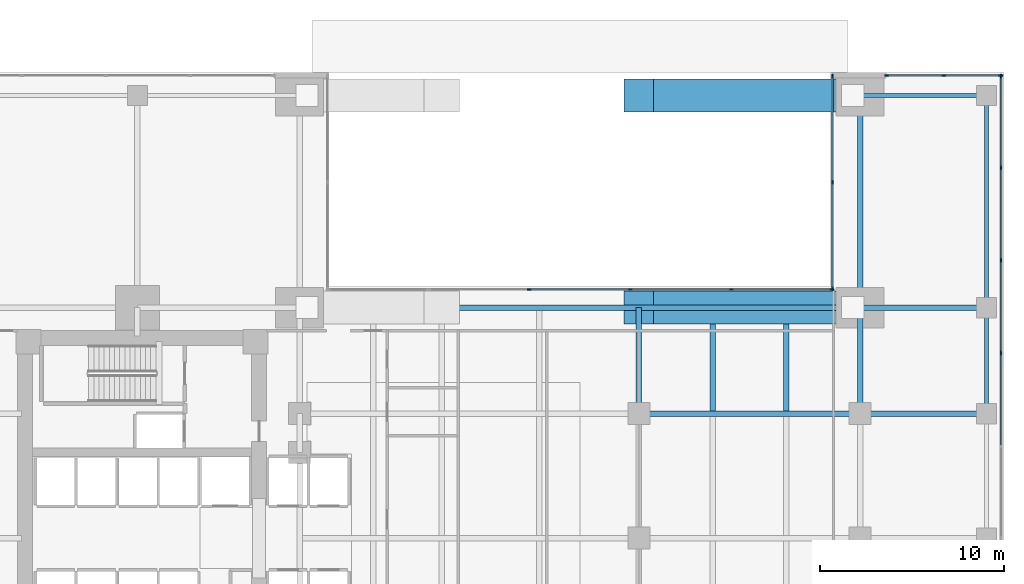
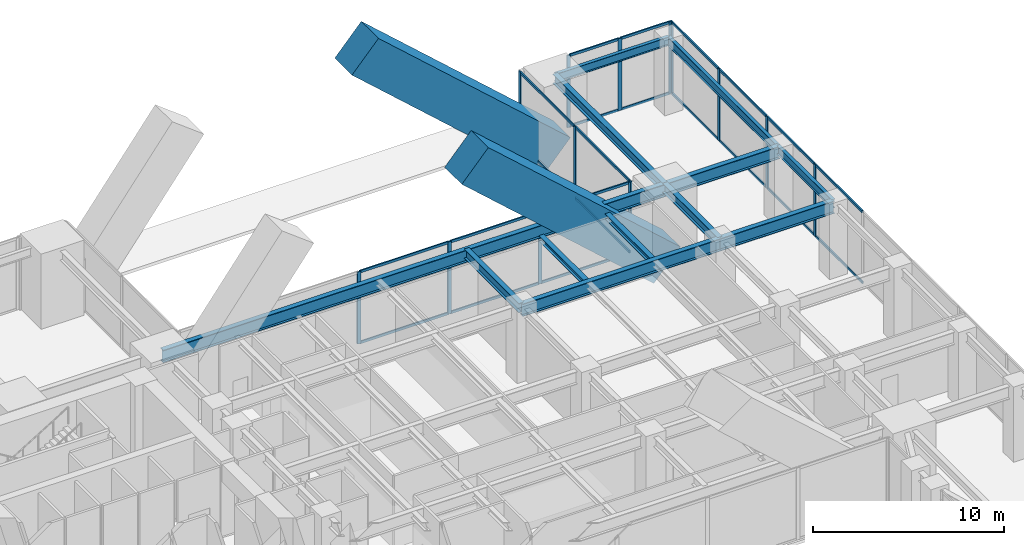
# One storey, part 6 of 13: 36 members, 14 beams, 4 elements without a shape of their own.
"""IFC4 building model written with IfcOpenShell, lengths in metres."""

from ifc_helpers import new_model, si_unit, direction, frame, origin, origin_2d, place, context, subcontext, project, spatial, rectangle, i_section, extrude, material, layer, layer_set, material_profile, profile_set, type_object, element, aggregate, save


model = new_model("IFC4")

# Units and contexts
model_context = context("Model", 3, precision=1e-05, world=origin(), true_north=direction((0.0, 1.0)))
body_context = subcontext(model_context, "Body", "Model", "MODEL_VIEW")
ifc_project = project(units=[si_unit("LENGTHUNIT", "METRE"), si_unit("AREAUNIT", "SQUARE_METRE"), si_unit("VOLUMEUNIT", "CUBIC_METRE"), si_unit("PLANEANGLEUNIT", "RADIAN"), si_unit("MASSUNIT", "GRAM", prefix="KILO")], contexts=[model_context])

# Site, building, storey
site_placement = place(None, origin())
site = spatial("IfcSite", under=ifc_project, at=site_placement, CompositionType="ELEMENT")
building_placement = place(site_placement, origin())
building = spatial("IfcBuilding", under=site, at=building_placement, Name="Kinhvarn Gate Tower", CompositionType="ELEMENT")
storey_placement = place(building_placement, frame((0.0, 0.0, 6.0)))
storey = spatial("IfcBuildingStorey", under=building, at=storey_placement, Name="L01", CompositionType="ELEMENT", Elevation=6.0)

# Beams
ifc_material_1 = material(Name="Concrete C70/85", Category="concrete")
ifc_material_profile_1 = material_profile(ifc_material_1, rectangle(XDim=1.800048828125, YDim=2.39990234375, at=origin_2d()), Name="RC 1800x2400")
ifc_profile_set_1 = profile_set([ifc_material_profile_1], Name="Concrete C70/85")
beam_type_1 = type_object("IfcBeamType", Name="BM-AR-2400", PredefinedType="BEAM", material=ifc_profile_set_1)
for number, where, z_axis, x_axis, name in (
    (1, (38.199951171875, 37.75, 10.39990234375), (0.744575349393, 0.0, -0.667538425168), (0.0, 1.0, 0.0), "Portal Arch East Haunch Rib AR-01-E3"),
    (2, (38.199951171875, 49.25, 10.39990234375), (0.744575349393, 0.0, -0.667538425168), (0.0, 1.0, 0.0), "Portal Arch East Haunch Rib AR-01-E4"),
):
    element("IfcBeam", number, at=place(storey_placement, frame(where, z_axis=z_axis, x_axis=x_axis)), inside=storey, type_object=beam_type_1, Name=name, PredefinedType="BEAM", context=body_context, shape_type="SweptSolid", body=[
        extrude(rectangle(XDim=1.800048828125, YDim=2.39990234375, at=origin_2d()), origin(), (0.0, 0.0, 1.0), 15.57958984375),
    ])

# Curtain wall, members
ifc_material_2 = material(Name="Anodised aluminium AW-6063", Category="aluminium")
ifc_layer = layer(ifc_material_2, 0.219970703125)
ifc_layer_set = layer_set([ifc_layer], Name="Anodised aluminium AW-6063")
curtain_wall_type = type_object("IfcCurtainWallType", Name="CW-SYS-1", PredefinedType="NOTDEFINED", material=ifc_layer_set)
curtain_wall_1_placement = place(storey_placement, origin())
curtain_wall_1 = element("IfcCurtainWall", 3, at=curtain_wall_1_placement, inside=storey, type_object=curtain_wall_type, Name="Curtain Wall CW1 (L01)", PredefinedType="NOTDEFINED")
ifc_material_profile_2 = material_profile(ifc_material_2, rectangle(XDim=0.080078125, YDim=0.219970703125, at=origin_2d()), Name="ALU 80x220")
ifc_profile_set_2 = profile_set([ifc_material_profile_2], Name="Anodised aluminium AW-6063")
member_type_1 = type_object("IfcMemberType", Name="CW-MUL-220", PredefinedType="MULLION", material=ifc_profile_set_2)
member_1_placement = place(storey_placement, frame((57.85009765625, 35.2900390625, 0.0), z_axis=(0.0, 0.0, 1.0), x_axis=(-1.0, 0.0, 0.0)))
member_1 = element("IfcMember", 4, at=member_1_placement, type_object=member_type_1, Name="CW1 mullion 8", PredefinedType="MULLION", context=body_context, shape_type="SweptSolid", body=[
    extrude(rectangle(XDim=0.080078125, YDim=0.219970703125, at=origin_2d()), origin(), (0.0, 0.0, 1.0), 4.60009765625),
])
member_2_placement = place(storey_placement, frame((57.85009765625, 40.31005859375, 0.0), z_axis=(0.0, 0.0, 1.0), x_axis=(-1.0, 0.0, 0.0)))
member_2 = element("IfcMember", 5, at=member_2_placement, type_object=member_type_1, Name="CW1 mullion 9", PredefinedType="MULLION", context=body_context, shape_type="SweptSolid", body=[
    extrude(rectangle(XDim=0.080078125, YDim=0.219970703125, at=origin_2d()), origin(), (0.0, 0.0, 1.0), 4.60009765625),
])
member_3_placement = place(storey_placement, frame((57.85009765625, 45.330078125, 0.0), z_axis=(0.0, 0.0, 1.0), x_axis=(-1.0, 0.0, 0.0)))
member_3 = element("IfcMember", 6, at=member_3_placement, type_object=member_type_1, Name="CW1 mullion 10", PredefinedType="MULLION", context=body_context, shape_type="SweptSolid", body=[
    extrude(rectangle(XDim=0.080078125, YDim=0.219970703125, at=origin_2d()), origin(), (0.0, 0.0, 1.0), 4.60009765625),
])
member_4_placement = place(storey_placement, frame((57.85009765625, 50.31005859375, 0.0), z_axis=(0.0, 0.0, 1.0), x_axis=(-1.0, 0.0, 0.0)))
member_4 = element("IfcMember", 7, at=member_4_placement, type_object=member_type_1, Name="CW1 mullion 11", PredefinedType="MULLION", context=body_context, shape_type="SweptSolid", body=[
    extrude(rectangle(XDim=0.080078125, YDim=0.219970703125, at=origin_2d()), origin(), (0.0, 0.0, 1.0), 4.60009765625),
])

curtain_wall_2_placement = place(storey_placement, origin())
curtain_wall_2 = element("IfcCurtainWall", 8, at=curtain_wall_2_placement, inside=storey, type_object=curtain_wall_type, Name="Curtain Wall CW1 (L01)", PredefinedType="NOTDEFINED")
member_5_placement = place(storey_placement, frame((57.81005859375, 50.35009765625, 0.0), z_axis=(0.0, 0.0, 1.0), x_axis=(0.0, -1.0, 0.0)))
member_5 = element("IfcMember", 9, at=member_5_placement, type_object=member_type_1, Name="CW1 mullion 1", PredefinedType="MULLION", context=body_context, shape_type="SweptSolid", body=[
    extrude(rectangle(XDim=0.080078125, YDim=0.219970703125, at=origin_2d()), origin(), (0.0, 0.0, 1.0), 4.60009765625),
])
member_6_placement = place(storey_placement, frame((54.72509765625, 50.35009765625, 0.0), z_axis=(0.0, 0.0, 1.0), x_axis=(0.0, -1.0, 0.0)))
member_6 = element("IfcMember", 10, at=member_6_placement, type_object=member_type_1, Name="CW1 mullion 2", PredefinedType="MULLION", context=body_context, shape_type="SweptSolid", body=[
    extrude(rectangle(XDim=0.080078125, YDim=0.219970703125, at=origin_2d()), origin(), (0.0, 0.0, 1.0), 4.60009765625),
])
member_7_placement = place(storey_placement, frame((51.639892578125, 50.35009765625, 0.0), z_axis=(0.0, 0.0, 1.0), x_axis=(0.0, -1.0, 0.0)))
member_7 = element("IfcMember", 11, at=member_7_placement, type_object=member_type_1, Name="CW1 mullion 3", PredefinedType="MULLION", context=body_context, shape_type="SweptSolid", body=[
    extrude(rectangle(XDim=0.080078125, YDim=0.219970703125, at=origin_2d()), origin(), (0.0, 0.0, 1.0), 4.60009765625),
])

curtain_wall_3_placement = place(storey_placement, origin())
curtain_wall_3 = element("IfcCurtainWall", 12, at=curtain_wall_3_placement, inside=storey, type_object=curtain_wall_type, Name="Curtain Wall CW1 (L01)", PredefinedType="NOTDEFINED")
member_8_placement = place(storey_placement, frame((48.68994140625, 50.31005859375, 0.0), z_axis=(0.0, 0.0, 1.0), x_axis=(1.0, 0.0, 0.0)))
member_8 = element("IfcMember", 13, at=member_8_placement, type_object=member_type_1, Name="CW1 mullion 1", PredefinedType="MULLION", context=body_context, shape_type="SweptSolid", body=[
    extrude(rectangle(XDim=0.080078125, YDim=0.219970703125, at=origin_2d()), origin(), (0.0, 0.0, 1.0), 4.60009765625),
])
member_9_placement = place(storey_placement, frame((48.68994140625, 44.544921875, 0.0), z_axis=(0.0, 0.0, 1.0), x_axis=(1.0, 0.0, 0.0)))
member_9 = element("IfcMember", 14, at=member_9_placement, type_object=member_type_1, Name="CW1 mullion 2", PredefinedType="MULLION", context=body_context, shape_type="SweptSolid", body=[
    extrude(rectangle(XDim=0.080078125, YDim=0.219970703125, at=origin_2d()), origin(), (0.0, 0.0, 1.0), 4.60009765625),
])
member_10_placement = place(storey_placement, frame((48.68994140625, 38.780029296875, 0.0), z_axis=(0.0, 0.0, 1.0), x_axis=(1.0, 0.0, 0.0)))
member_10 = element("IfcMember", 15, at=member_10_placement, type_object=member_type_1, Name="CW1 mullion 3", PredefinedType="MULLION", context=body_context, shape_type="SweptSolid", body=[
    extrude(rectangle(XDim=0.080078125, YDim=0.219970703125, at=origin_2d()), origin(), (0.0, 0.0, 1.0), 4.60009765625),
])

curtain_wall_4_placement = place(storey_placement, origin())
curtain_wall_4 = element("IfcCurtainWall", 16, at=curtain_wall_4_placement, inside=storey, type_object=curtain_wall_type, Name="Curtain Wall CW1 (L01)", PredefinedType="NOTDEFINED")
member_11_placement = place(storey_placement, frame((48.64990234375, 38.739990234375, 0.0), z_axis=(0.0, 0.0, 1.0), x_axis=(0.0, -1.0, 0.0)))
member_11 = element("IfcMember", 17, at=member_11_placement, type_object=member_type_1, Name="CW1 mullion 1", PredefinedType="MULLION", context=body_context, shape_type="SweptSolid", body=[
    extrude(rectangle(XDim=0.080078125, YDim=0.219970703125, at=origin_2d()), origin(), (0.0, 0.0, 1.0), 4.60009765625),
])
member_12_placement = place(storey_placement, frame((43.214111328125, 38.739990234375, 0.0), z_axis=(0.0, 0.0, 1.0), x_axis=(0.0, -1.0, 0.0)))
member_12 = element("IfcMember", 18, at=member_12_placement, type_object=member_type_1, Name="CW1 mullion 2", PredefinedType="MULLION", context=body_context, shape_type="SweptSolid", body=[
    extrude(rectangle(XDim=0.080078125, YDim=0.219970703125, at=origin_2d()), origin(), (0.0, 0.0, 1.0), 4.60009765625),
])
member_13_placement = place(storey_placement, frame((37.738037109375, 38.739990234375, 0.0), z_axis=(0.0, 0.0, 1.0), x_axis=(0.0, -1.0, 0.0)))
member_13 = element("IfcMember", 19, at=member_13_placement, type_object=member_type_1, Name="CW1 mullion 3", PredefinedType="MULLION", context=body_context, shape_type="SweptSolid", body=[
    extrude(rectangle(XDim=0.080078125, YDim=0.219970703125, at=origin_2d()), origin(), (0.0, 0.0, 1.0), 4.60009765625),
])
member_14_placement = place(storey_placement, frame((32.261962890625, 38.739990234375, 0.0), z_axis=(0.0, 0.0, 1.0), x_axis=(0.0, -1.0, 0.0)))
member_14 = element("IfcMember", 20, at=member_14_placement, type_object=member_type_1, Name="CW1 mullion 4", PredefinedType="MULLION", context=body_context, shape_type="SweptSolid", body=[
    extrude(rectangle(XDim=0.080078125, YDim=0.219970703125, at=origin_2d()), origin(), (0.0, 0.0, 1.0), 4.60009765625),
])

# Member
ifc_material_profile_3 = material_profile(ifc_material_2, rectangle(XDim=0.080078125, YDim=0.159912109375, at=origin_2d()), Name="ALU 80x160")
ifc_profile_set_3 = profile_set([ifc_material_profile_3], Name="Anodised aluminium AW-6063")
member_type_2 = type_object("IfcMemberType", Name="CW-TRN-160", PredefinedType="USERDEFINED", material=ifc_profile_set_3)
member_15_placement = place(storey_placement, frame((57.85009765625, 30.31005859375, 0.0400390625), z_axis=(0.0, 1.0, 0.0), x_axis=(-1.0, 0.0, 0.0)))
member_15 = element("IfcMember", 21, at=member_15_placement, type_object=member_type_2, Name="CW1 transom 7.1", ObjectType="TRANSOM", PredefinedType="USERDEFINED", context=body_context, shape_type="SweptSolid", body=[
    extrude(rectangle(XDim=0.080078125, YDim=0.159912109375, at=origin_2d()), origin(), (0.0, 0.0, 1.0), 4.93994140625),
])

member_16_placement = place(storey_placement, frame((57.85009765625, 30.31005859375, 4.56005859375), z_axis=(0.0, 1.0, 0.0), x_axis=(-1.0, 0.0, 0.0)))
member_16 = element("IfcMember", 22, at=member_16_placement, type_object=member_type_2, Name="CW1 transom 7.2", ObjectType="TRANSOM", PredefinedType="USERDEFINED", context=body_context, shape_type="SweptSolid", body=[
    extrude(rectangle(XDim=0.080078125, YDim=0.159912109375, at=origin_2d()), origin(), (0.0, 0.0, 1.0), 4.93994140625),
])

member_17_placement = place(storey_placement, frame((57.85009765625, 35.330078125, 0.0400390625), z_axis=(0.0, 1.0, 0.0), x_axis=(-1.0, 0.0, 0.0)))
member_17 = element("IfcMember", 23, at=member_17_placement, type_object=member_type_2, Name="CW1 transom 8.1", ObjectType="TRANSOM", PredefinedType="USERDEFINED", context=body_context, shape_type="SweptSolid", body=[
    extrude(rectangle(XDim=0.080078125, YDim=0.159912109375, at=origin_2d()), origin(), (0.0, 0.0, 1.0), 4.93994140625),
])

member_18_placement = place(storey_placement, frame((57.85009765625, 35.330078125, 4.56005859375), z_axis=(0.0, 1.0, 0.0), x_axis=(-1.0, 0.0, 0.0)))
member_18 = element("IfcMember", 24, at=member_18_placement, type_object=member_type_2, Name="CW1 transom 8.2", ObjectType="TRANSOM", PredefinedType="USERDEFINED", context=body_context, shape_type="SweptSolid", body=[
    extrude(rectangle(XDim=0.080078125, YDim=0.159912109375, at=origin_2d()), origin(), (0.0, 0.0, 1.0), 4.93994140625),
])

member_19_placement = place(storey_placement, frame((57.85009765625, 40.35009765625, 0.0400390625), z_axis=(0.0, 1.0, 0.0), x_axis=(-1.0, 0.0, 0.0)))
member_19 = element("IfcMember", 25, at=member_19_placement, type_object=member_type_2, Name="CW1 transom 9.1", ObjectType="TRANSOM", PredefinedType="USERDEFINED", context=body_context, shape_type="SweptSolid", body=[
    extrude(rectangle(XDim=0.080078125, YDim=0.159912109375, at=origin_2d()), origin(), (0.0, 0.0, 1.0), 4.93994140625),
])

member_20_placement = place(storey_placement, frame((57.85009765625, 40.35009765625, 4.56005859375), z_axis=(0.0, 1.0, 0.0), x_axis=(-1.0, 0.0, 0.0)))
member_20 = element("IfcMember", 26, at=member_20_placement, type_object=member_type_2, Name="CW1 transom 9.2", ObjectType="TRANSOM", PredefinedType="USERDEFINED", context=body_context, shape_type="SweptSolid", body=[
    extrude(rectangle(XDim=0.080078125, YDim=0.159912109375, at=origin_2d()), origin(), (0.0, 0.0, 1.0), 4.93994140625),
])

member_21_placement = place(storey_placement, frame((57.85009765625, 45.3701171875, 0.0400390625), z_axis=(0.0, 1.0, 0.0), x_axis=(-1.0, 0.0, 0.0)))
member_21 = element("IfcMember", 27, at=member_21_placement, type_object=member_type_2, Name="CW1 transom 10.1", ObjectType="TRANSOM", PredefinedType="USERDEFINED", context=body_context, shape_type="SweptSolid", body=[
    extrude(rectangle(XDim=0.080078125, YDim=0.159912109375, at=origin_2d()), origin(), (0.0, 0.0, 1.0), 4.89990234375),
])

member_22_placement = place(storey_placement, frame((57.85009765625, 45.3701171875, 4.56005859375), z_axis=(0.0, 1.0, 0.0), x_axis=(-1.0, 0.0, 0.0)))
member_22 = element("IfcMember", 28, at=member_22_placement, type_object=member_type_2, Name="CW1 transom 10.2", ObjectType="TRANSOM", PredefinedType="USERDEFINED", context=body_context, shape_type="SweptSolid", body=[
    extrude(rectangle(XDim=0.080078125, YDim=0.159912109375, at=origin_2d()), origin(), (0.0, 0.0, 1.0), 4.89990234375),
])

aggregate(curtain_wall_1, [member_1, member_2, member_3, member_4, member_15, member_16, member_17, member_18, member_19, member_20, member_21, member_22])

member_23_placement = place(storey_placement, frame((57.77001953125, 50.35009765625, 0.0400390625), z_axis=(-1.0, 0.0, 0.0), x_axis=(0.0, -1.0, 0.0)))
member_23 = element("IfcMember", 29, at=member_23_placement, type_object=member_type_2, Name="CW1 transom 1.1", ObjectType="TRANSOM", PredefinedType="USERDEFINED", context=body_context, shape_type="SweptSolid", body=[
    extrude(rectangle(XDim=0.080078125, YDim=0.159912109375, at=origin_2d()), origin(), (0.0, 0.0, 1.0), 3.005126953125),
])

member_24_placement = place(storey_placement, frame((57.77001953125, 50.35009765625, 4.56005859375), z_axis=(-1.0, 0.0, 0.0), x_axis=(0.0, -1.0, 0.0)))
member_24 = element("IfcMember", 30, at=member_24_placement, type_object=member_type_2, Name="CW1 transom 1.2", ObjectType="TRANSOM", PredefinedType="USERDEFINED", context=body_context, shape_type="SweptSolid", body=[
    extrude(rectangle(XDim=0.080078125, YDim=0.159912109375, at=origin_2d()), origin(), (0.0, 0.0, 1.0), 3.005126953125),
])

member_25_placement = place(storey_placement, frame((54.68505859375, 50.35009765625, 0.0400390625), z_axis=(-1.0, 0.0, 0.0), x_axis=(0.0, -1.0, 0.0)))
member_25 = element("IfcMember", 31, at=member_25_placement, type_object=member_type_2, Name="CW1 transom 2.1", ObjectType="TRANSOM", PredefinedType="USERDEFINED", context=body_context, shape_type="SweptSolid", body=[
    extrude(rectangle(XDim=0.080078125, YDim=0.159912109375, at=origin_2d()), origin(), (0.0, 0.0, 1.0), 3.005126953125),
])

member_26_placement = place(storey_placement, frame((54.68505859375, 50.35009765625, 4.56005859375), z_axis=(-1.0, 0.0, 0.0), x_axis=(0.0, -1.0, 0.0)))
member_26 = element("IfcMember", 32, at=member_26_placement, type_object=member_type_2, Name="CW1 transom 2.2", ObjectType="TRANSOM", PredefinedType="USERDEFINED", context=body_context, shape_type="SweptSolid", body=[
    extrude(rectangle(XDim=0.080078125, YDim=0.159912109375, at=origin_2d()), origin(), (0.0, 0.0, 1.0), 3.005126953125),
])

aggregate(curtain_wall_2, [member_5, member_6, member_7, member_23, member_24, member_25, member_26])

member_27_placement = place(storey_placement, frame((48.68994140625, 50.27001953125, 0.0400390625), z_axis=(0.0, -1.0, 0.0), x_axis=(1.0, 0.0, 0.0)))
member_27 = element("IfcMember", 33, at=member_27_placement, type_object=member_type_2, Name="CW1 transom 1.1", ObjectType="TRANSOM", PredefinedType="USERDEFINED", context=body_context, shape_type="SweptSolid", body=[
    extrude(rectangle(XDim=0.080078125, YDim=0.159912109375, at=origin_2d()), origin(), (0.0, 0.0, 1.0), 5.68505859375),
])

member_28_placement = place(storey_placement, frame((48.68994140625, 50.27001953125, 4.56005859375), z_axis=(0.0, -1.0, 0.0), x_axis=(1.0, 0.0, 0.0)))
member_28 = element("IfcMember", 34, at=member_28_placement, type_object=member_type_2, Name="CW1 transom 1.2", ObjectType="TRANSOM", PredefinedType="USERDEFINED", context=body_context, shape_type="SweptSolid", body=[
    extrude(rectangle(XDim=0.080078125, YDim=0.159912109375, at=origin_2d()), origin(), (0.0, 0.0, 1.0), 5.68505859375),
])

member_29_placement = place(storey_placement, frame((48.68994140625, 44.5048828125, 0.0400390625), z_axis=(0.0, -1.0, 0.0), x_axis=(1.0, 0.0, 0.0)))
member_29 = element("IfcMember", 35, at=member_29_placement, type_object=member_type_2, Name="CW1 transom 2.1", ObjectType="TRANSOM", PredefinedType="USERDEFINED", context=body_context, shape_type="SweptSolid", body=[
    extrude(rectangle(XDim=0.080078125, YDim=0.159912109375, at=origin_2d()), origin(), (0.0, 0.0, 1.0), 5.684814453125),
])

member_30_placement = place(storey_placement, frame((48.68994140625, 44.5048828125, 4.56005859375), z_axis=(0.0, -1.0, 0.0), x_axis=(1.0, 0.0, 0.0)))
member_30 = element("IfcMember", 36, at=member_30_placement, type_object=member_type_2, Name="CW1 transom 2.2", ObjectType="TRANSOM", PredefinedType="USERDEFINED", context=body_context, shape_type="SweptSolid", body=[
    extrude(rectangle(XDim=0.080078125, YDim=0.159912109375, at=origin_2d()), origin(), (0.0, 0.0, 1.0), 5.684814453125),
])

aggregate(curtain_wall_3, [member_8, member_9, member_10, member_27, member_28, member_29, member_30])

member_31_placement = place(storey_placement, frame((48.610107421875, 38.739990234375, 0.0400390625), z_axis=(-1.0, 0.0, 0.0), x_axis=(0.0, -1.0, 0.0)))
member_31 = element("IfcMember", 37, at=member_31_placement, type_object=member_type_2, Name="CW1 transom 1.1", ObjectType="TRANSOM", PredefinedType="USERDEFINED", context=body_context, shape_type="SweptSolid", body=[
    extrude(rectangle(XDim=0.080078125, YDim=0.159912109375, at=origin_2d()), origin(), (0.0, 0.0, 1.0), 5.356201171875),
])

member_32_placement = place(storey_placement, frame((48.610107421875, 38.739990234375, 4.56005859375), z_axis=(-1.0, 0.0, 0.0), x_axis=(0.0, -1.0, 0.0)))
member_32 = element("IfcMember", 38, at=member_32_placement, type_object=member_type_2, Name="CW1 transom 1.2", ObjectType="TRANSOM", PredefinedType="USERDEFINED", context=body_context, shape_type="SweptSolid", body=[
    extrude(rectangle(XDim=0.080078125, YDim=0.159912109375, at=origin_2d()), origin(), (0.0, 0.0, 1.0), 5.356201171875),
])

member_33_placement = place(storey_placement, frame((43.174072265625, 38.739990234375, 0.0400390625), z_axis=(-1.0, 0.0, 0.0), x_axis=(0.0, -1.0, 0.0)))
member_33 = element("IfcMember", 39, at=member_33_placement, type_object=member_type_2, Name="CW1 transom 2.1", ObjectType="TRANSOM", PredefinedType="USERDEFINED", context=body_context, shape_type="SweptSolid", body=[
    extrude(rectangle(XDim=0.080078125, YDim=0.159912109375, at=origin_2d()), origin(), (0.0, 0.0, 1.0), 5.39599609375),
])

member_34_placement = place(storey_placement, frame((43.174072265625, 38.739990234375, 4.56005859375), z_axis=(-1.0, 0.0, 0.0), x_axis=(0.0, -1.0, 0.0)))
member_34 = element("IfcMember", 40, at=member_34_placement, type_object=member_type_2, Name="CW1 transom 2.2", ObjectType="TRANSOM", PredefinedType="USERDEFINED", context=body_context, shape_type="SweptSolid", body=[
    extrude(rectangle(XDim=0.080078125, YDim=0.159912109375, at=origin_2d()), origin(), (0.0, 0.0, 1.0), 5.39599609375),
])

member_35_placement = place(storey_placement, frame((37.697998046875, 38.739990234375, 0.0400390625), z_axis=(-1.0, 0.0, 0.0), x_axis=(0.0, -1.0, 0.0)))
member_35 = element("IfcMember", 41, at=member_35_placement, type_object=member_type_2, Name="CW1 transom 3.1", ObjectType="TRANSOM", PredefinedType="USERDEFINED", context=body_context, shape_type="SweptSolid", body=[
    extrude(rectangle(XDim=0.080078125, YDim=0.159912109375, at=origin_2d()), origin(), (0.0, 0.0, 1.0), 5.39599609375),
])

member_36_placement = place(storey_placement, frame((37.697998046875, 38.739990234375, 4.56005859375), z_axis=(-1.0, 0.0, 0.0), x_axis=(0.0, -1.0, 0.0)))
member_36 = element("IfcMember", 42, at=member_36_placement, type_object=member_type_2, Name="CW1 transom 3.2", ObjectType="TRANSOM", PredefinedType="USERDEFINED", context=body_context, shape_type="SweptSolid", body=[
    extrude(rectangle(XDim=0.080078125, YDim=0.159912109375, at=origin_2d()), origin(), (0.0, 0.0, 1.0), 5.39599609375),
])

aggregate(curtain_wall_4, [member_11, member_12, member_13, member_14, member_31, member_32, member_33, member_34, member_35, member_36])

# Beams
ifc_material_3 = material(Name="Steel S355", Category="steel")
ifc_material_profile_4 = material_profile(ifc_material_3, i_section(OverallWidth=0.300048828125, OverallDepth=0.360107421875, WebThickness=0.012451171875, FlangeThickness=0.0224609375, at=origin_2d()), Name="HEB 360")
ifc_profile_set_4 = profile_set([ifc_material_profile_4], Name="Steel S355")
beam_type_2 = type_object("IfcBeamType", Name="STL-HEB360", PredefinedType="BEAM", material=ifc_profile_set_4)
for number, where, z_axis, x_axis, name in (
    (43, (42.199951171875, 32.14990234375, 4.419921875), (0.0, 1.0, 0.0), (-1.0, 0.0, 0.0), "Floor Beam PG-11 (L01 POD-J422-32)"),
    (44, (46.199951171875, 32.14990234375, 4.419921875), (0.0, 1.0, 0.0), (-1.0, 0.0, 0.0), "Floor Beam PG-11 (L01 POD-J462-32)"),
):
    element("IfcBeam", number, at=place(storey_placement, frame(where, z_axis=z_axis, x_axis=x_axis)), inside=storey, type_object=beam_type_2, Name=name, PredefinedType="BEAM", context=body_context, shape_type="SweptSolid", body=[
        extrude(i_section(OverallWidth=0.300048828125, OverallDepth=0.360107421875, WebThickness=0.012451171875, FlangeThickness=0.0224609375, at=origin_2d()), origin(), (0.0, 0.0, 1.0), 4.7001953125),
    ])
ifc_material_profile_5 = material_profile(ifc_material_3, i_section(OverallWidth=0.300048828125, OverallDepth=0.60009765625, WebThickness=0.015380859375, FlangeThickness=0.030029296875, at=origin_2d()), Name="HEB 600")
ifc_profile_set_5 = profile_set([ifc_material_profile_5], Name="Steel S355")
beam_type_3 = type_object("IfcBeamType", Name="STL-HEB600", PredefinedType="BEAM", material=ifc_profile_set_5)
beam_1_placement = place(storey_placement, frame((50.199951171875, 32.0, 4.300048828125), z_axis=(0.0, 1.0, 0.0), x_axis=(-1.0, 0.0, 0.0)))
element("IfcBeam", 45, at=beam_1_placement, inside=storey, type_object=beam_type_3, Name="Floor Beam PG-16 (L01 APE-5)", PredefinedType="BEAM", context=body_context, shape_type="SweptSolid", body=[
    extrude(i_section(OverallWidth=0.300048828125, OverallDepth=0.60009765625, WebThickness=0.015380859375, FlangeThickness=0.030029296875, at=origin_2d()), origin(), (0.0, 0.0, 1.0), 5.75),
])
beam_2_placement = place(storey_placement, frame((50.199951171875, 37.75, 4.300048828125), z_axis=(0.0, 1.0, 0.0), x_axis=(-1.0, 0.0, 0.0)))
element("IfcBeam", 46, at=beam_2_placement, inside=storey, type_object=beam_type_3, Name="Floor Beam PG-16 (L01 APE-6)", PredefinedType="BEAM", context=body_context, shape_type="SweptSolid", body=[
    extrude(i_section(OverallWidth=0.300048828125, OverallDepth=0.60009765625, WebThickness=0.015380859375, FlangeThickness=0.030029296875, at=origin_2d()), origin(), (0.0, 0.0, 1.0), 11.5),
])
beam_3_placement = place(storey_placement, frame((38.199951171875, 32.0, 4.300048828125), z_axis=(0.0, 1.0, 0.0), x_axis=(-1.0, 0.0, 0.0)))
element("IfcBeam", 47, at=beam_3_placement, inside=storey, type_object=beam_type_3, Name="Floor Beam PG-16 (L01 POD-NS38-32)", PredefinedType="BEAM", context=body_context, shape_type="SweptSolid", body=[
    extrude(i_section(OverallWidth=0.300048828125, OverallDepth=0.60009765625, WebThickness=0.015380859375, FlangeThickness=0.030029296875, at=origin_2d()), origin(), (0.0, 0.0, 1.0), 5.75),
])
ifc_material_profile_6 = material_profile(ifc_material_3, i_section(OverallWidth=0.300048828125, OverallDepth=0.800048828125, WebThickness=0.017578125, FlangeThickness=0.032958984375, at=origin_2d()), Name="HEB 800")
ifc_profile_set_6 = profile_set([ifc_material_profile_6], Name="Steel S355")
beam_type_4 = type_object("IfcBeamType", Name="STL-HEB800", PredefinedType="BEAM", material=ifc_profile_set_6)
for number, where, z_axis, x_axis, name in (
    (48, (50.199951171875, 37.75, 4.199951171875), (1.0, 0.0, 0.0), (0.0, 1.0, 0.0), "Floor Beam PG-19 (L01 SPN-E)"),
    (49, (50.199951171875, 32.0, 4.199951171875), (1.0, 0.0, 0.0), (0.0, 1.0, 0.0), "Floor Beam PG-19 (L01 E-MID-32)"),
):
    element("IfcBeam", number, at=place(storey_placement, frame(where, z_axis=z_axis, x_axis=x_axis)), inside=storey, type_object=beam_type_4, Name=name, PredefinedType="BEAM", context=body_context, shape_type="SweptSolid", body=[
        extrude(i_section(OverallWidth=0.300048828125, OverallDepth=0.800048828125, WebThickness=0.017578125, FlangeThickness=0.032958984375, at=origin_2d()), origin(), (0.0, 0.0, 1.0), 6.85009765625),
    ])
beam_4_placement = place(storey_placement, frame((19.800048828125, 37.75, 4.199951171875), z_axis=(1.0, 0.0, 0.0), x_axis=(0.0, 1.0, 0.0)))
element("IfcBeam", 50, at=beam_4_placement, inside=storey, type_object=beam_type_4, Name="Floor Beam PG-19 (L01 POD-N-MAIN)", PredefinedType="BEAM", context=body_context, shape_type="SweptSolid", body=[
    extrude(i_section(OverallWidth=0.300048828125, OverallDepth=0.800048828125, WebThickness=0.017578125, FlangeThickness=0.032958984375, at=origin_2d()), origin(), (0.0, 0.0, 1.0), 30.39990234375),
])
beam_5_placement = place(storey_placement, frame((38.199951171875, 32.0, 4.199951171875), z_axis=(1.0, 0.0, 0.0), x_axis=(0.0, 1.0, 0.0)))
element("IfcBeam", 51, at=beam_5_placement, inside=storey, type_object=beam_type_4, Name="Floor Beam PG-19 (L01 POD-EW2-32)", PredefinedType="BEAM", context=body_context, shape_type="SweptSolid", body=[
    extrude(i_section(OverallWidth=0.300048828125, OverallDepth=0.800048828125, WebThickness=0.017578125, FlangeThickness=0.032958984375, at=origin_2d()), origin(), (0.0, 0.0, 1.0), 12.0),
])
ifc_material_profile_7 = material_profile(ifc_material_3, i_section(OverallWidth=0.2099609375, OverallDepth=0.550048828125, WebThickness=0.010986328125, FlangeThickness=0.01708984375, at=origin_2d()), Name="IPE 550")
ifc_profile_set_7 = profile_set([ifc_material_profile_7], Name="Steel S355")
beam_type_5 = type_object("IfcBeamType", Name="STL-IPE550", PredefinedType="SPANDREL", material=ifc_profile_set_7)
beam_6_placement = place(storey_placement, frame((57.050048828125, 32.0, 4.324951171875), z_axis=(0.0, 1.0, 0.0), x_axis=(-1.0, 0.0, 0.0)))
element("IfcBeam", 52, at=beam_6_placement, inside=storey, type_object=beam_type_5, Name="Floor Spandrel SB-08 (L01 PERE-5)", PredefinedType="SPANDREL", context=body_context, shape_type="SweptSolid", body=[
    extrude(i_section(OverallWidth=0.2099609375, OverallDepth=0.550048828125, WebThickness=0.010986328125, FlangeThickness=0.01708984375, at=origin_2d()), origin(), (0.0, 0.0, 1.0), 5.75),
])
beam_7_placement = place(storey_placement, frame((57.050048828125, 37.75, 4.324951171875), z_axis=(0.0, 1.0, 0.0), x_axis=(-1.0, 0.0, 0.0)))
element("IfcBeam", 53, at=beam_7_placement, inside=storey, type_object=beam_type_5, Name="Floor Spandrel SB-08 (L01 PERE-6)", PredefinedType="SPANDREL", context=body_context, shape_type="SweptSolid", body=[
    extrude(i_section(OverallWidth=0.2099609375, OverallDepth=0.550048828125, WebThickness=0.010986328125, FlangeThickness=0.01708984375, at=origin_2d()), origin(), (0.0, 0.0, 1.0), 11.5),
])
beam_8_placement = place(storey_placement, frame((50.199951171875, 49.25, 4.324951171875), z_axis=(1.0, 0.0, 0.0), x_axis=(0.0, 1.0, 0.0)))
element("IfcBeam", 54, at=beam_8_placement, inside=storey, type_object=beam_type_5, Name="Floor Spandrel SB-08 (L01 SP-POD-NE)", PredefinedType="SPANDREL", context=body_context, shape_type="SweptSolid", body=[
    extrude(i_section(OverallWidth=0.2099609375, OverallDepth=0.550048828125, WebThickness=0.010986328125, FlangeThickness=0.01708984375, at=origin_2d()), origin(), (0.0, 0.0, 1.0), 6.85009765625),
])

save(model, "model.ifc")
